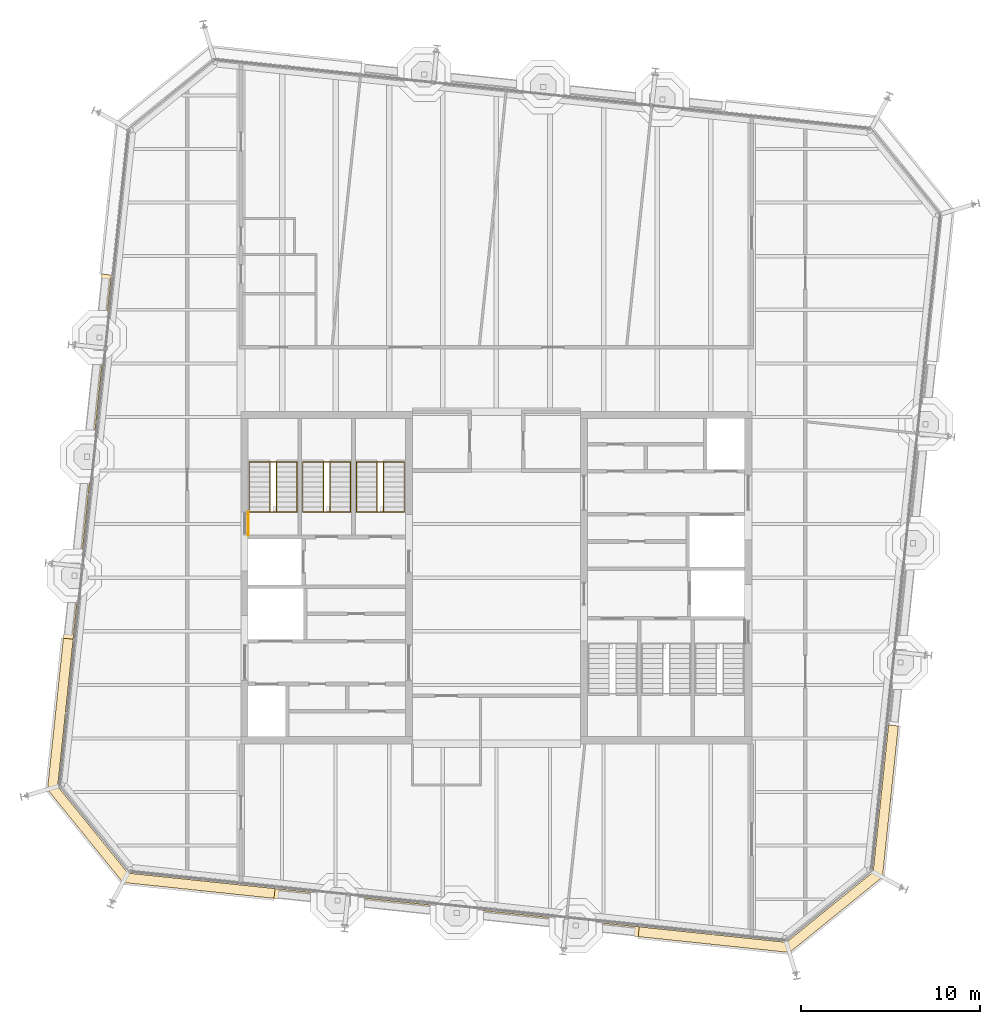
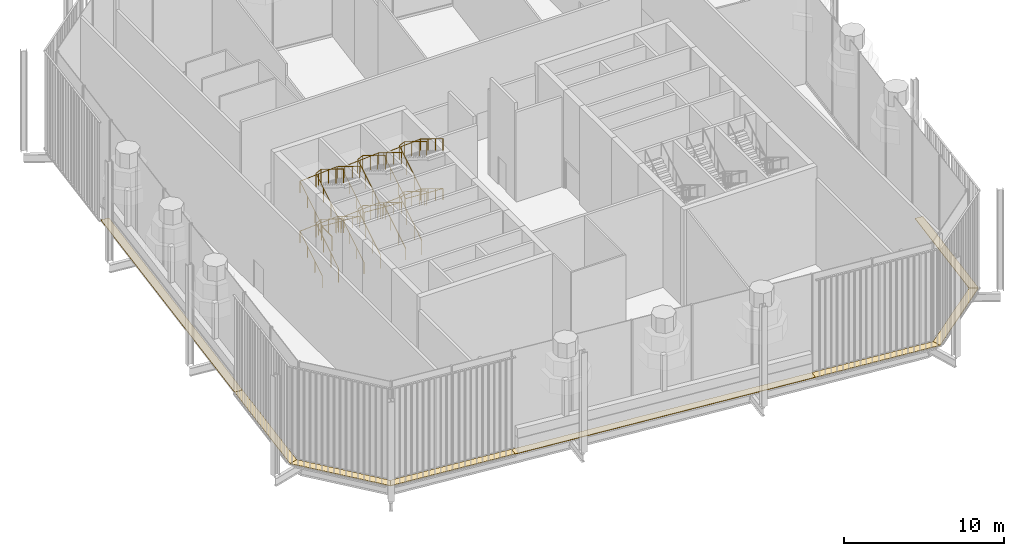
# One storey, part 15 of 17: 8 coverings, 7 railings.
"""IFC4 building model written with IfcOpenShell, lengths in metres."""

from ifc_helpers import new_model, si_unit, direction, frame, origin, origin_2d, place, context, subcontext, project, spatial, polyline, circle, outline, extrude, material, layer, layer_set, type_object, element, save


model = new_model("IFC4")

# Units and contexts
model_context = context("Model", 3, precision=1e-05, world=origin(), true_north=direction((0.0, 1.0)))
body_context = subcontext(model_context, "Body", "Model", "MODEL_VIEW")
ifc_project = project(units=[si_unit("LENGTHUNIT", "METRE"), si_unit("AREAUNIT", "SQUARE_METRE"), si_unit("VOLUMEUNIT", "CUBIC_METRE"), si_unit("PLANEANGLEUNIT", "RADIAN"), si_unit("MASSUNIT", "GRAM", prefix="KILO")], contexts=[model_context])

# Site, building, storey
site_placement = place(None, origin())
site = spatial("IfcSite", under=ifc_project, at=site_placement, CompositionType="ELEMENT")
building_placement = place(site_placement, origin())
building = spatial("IfcBuilding", under=site, at=building_placement, Name="Millrace Tower", CompositionType="ELEMENT")
storey_placement = place(building_placement, frame((0.0, 0.0, 311.10009765625)))
storey = spatial("IfcBuildingStorey", under=building, at=storey_placement, Name="L72", CompositionType="ELEMENT", Elevation=311.10009765625)

# Coverings
ifc_material_1 = material(Name="Steel ASTM A36", Category="steel")
ifc_layer = layer(ifc_material_1, 0.050048828125)
ifc_layer_set = layer_set([ifc_layer], Name="Steel ASTM A36")
covering_type = type_object("IfcCoveringType", Name="CAVITY CATWALK steel grating", PredefinedType="FLOORING", material=ifc_layer_set)
placement = place(storey_placement, frame((0.0, 0.0, 0.099853515625)))
element("IfcCovering", 1, at=placement, inside=storey, type_object=covering_type, Name="Cavity catwalk grating E-F01 L72 1", PredefinedType="FLOORING", context=body_context, shape_type="SweptSolid", body=[
    extrude(outline(polyline([(-25.13232421875, -11.8515625), (-20.914306640625, -17.060302734375), (-20.630126953125, -16.537109375), (-24.5615234375, -11.682373046875), (-25.13232421875, -11.8515625)])), origin(), (0.0, 0.0, 1.0), 0.050048828125),
])
element("IfcCovering", 2, at=placement, inside=storey, type_object=covering_type, Name="Cavity catwalk grating E-F02 L72 1", PredefinedType="FLOORING", context=body_context, shape_type="SweptSolid", body=[
    extrude(outline(polyline([(-20.914306640625, -17.060302734375), (-12.4501953125, -17.949951171875), (-12.392822265625, -17.40283203125), (-20.630126953125, -16.537109375), (-20.914306640625, -17.060302734375)])), origin(), (0.0, 0.0, 1.0), 0.050048828125),
])
element("IfcCovering", 3, at=placement, inside=storey, type_object=covering_type, Name="Cavity catwalk grating E-F02 L72 2", PredefinedType="FLOORING", context=body_context, shape_type="SweptSolid", body=[
    extrude(outline(polyline([(-12.4501953125, -17.949951171875), (7.9375, -20.0927734375), (7.994873046875, -19.545654296875), (-12.392822265625, -17.40283203125), (-12.4501953125, -17.949951171875)])), origin(), (0.0, 0.0, 1.0), 0.050048828125),
])
element("IfcCovering", 4, at=placement, inside=storey, type_object=covering_type, Name="Cavity catwalk grating E-F02 L72 3", PredefinedType="FLOORING", context=body_context, shape_type="SweptSolid", body=[
    extrude(outline(polyline([(7.9375, -20.0927734375), (16.4013671875, -20.982177734375), (16.232421875, -20.411376953125), (7.994873046875, -19.545654296875), (7.9375, -20.0927734375)])), origin(), (0.0, 0.0, 1.0), 0.050048828125),
])
element("IfcCovering", 5, at=placement, inside=storey, type_object=covering_type, Name="Cavity catwalk grating E-F03 L72 1", PredefinedType="FLOORING", context=body_context, shape_type="SweptSolid", body=[
    extrude(outline(polyline([(16.4013671875, -20.982177734375), (21.6103515625, -16.764404296875), (21.087158203125, -16.480224609375), (16.232421875, -20.411376953125), (16.4013671875, -20.982177734375)])), origin(), (0.0, 0.0, 1.0), 0.050048828125),
])
element("IfcCovering", 6, at=placement, inside=storey, type_object=covering_type, Name="Cavity catwalk grating E-F04 L72 1", PredefinedType="FLOORING", context=body_context, shape_type="SweptSolid", body=[
    extrude(outline(polyline([(21.6103515625, -16.764404296875), (22.499755859375, -8.30029296875), (21.952880859375, -8.24267578125), (21.087158203125, -16.480224609375), (21.6103515625, -16.764404296875)])), origin(), (0.0, 0.0, 1.0), 0.050048828125),
])
element("IfcCovering", 7, at=placement, inside=storey, type_object=covering_type, Name="Cavity catwalk grating E-F08 L72 2", PredefinedType="FLOORING", context=body_context, shape_type="SweptSolid", body=[
    extrude(outline(polyline([(-22.099853515625, 17.000244140625), (-24.24267578125, -3.387451171875), (-23.69580078125, -3.44482421875), (-21.552978515625, 16.94287109375), (-22.099853515625, 17.000244140625)])), origin(), (0.0, 0.0, 1.0), 0.050048828125),
])
element("IfcCovering", 8, at=placement, inside=storey, type_object=covering_type, Name="Cavity catwalk grating E-F08 L72 3", PredefinedType="FLOORING", context=body_context, shape_type="SweptSolid", body=[
    extrude(outline(polyline([(-24.24267578125, -3.387451171875), (-25.13232421875, -11.8515625), (-24.5615234375, -11.682373046875), (-23.69580078125, -3.44482421875), (-24.24267578125, -3.387451171875)])), origin(), (0.0, 0.0, 1.0), 0.050048828125),
])

# Railings
ifc_material_2 = material(Name="Stainless steel ASTM A240 type 316", Category="steel")
railing_type_1 = type_object("IfcRailingType", Name="Stair guard 1100", PredefinedType="GUARDRAIL", material=ifc_material_2)
railing_1_placement = place(storey_placement, frame((-12.679931640625, 3.679931640625, 0.172607421875)))
element("IfcRailing", 9, at=railing_1_placement, inside=storey, type_object=railing_type_1, Name="Stair guard 1 W L72", PredefinedType="GUARDRAIL", context=body_context, shape_type="SweptSolid", body=[
    extrude(circle(Radius=0.02392578125, at=origin_2d()), frame((0.0, 0.0, 1.076171875), z_axis=(0.0, 0.851089632645, 0.525020415988), x_axis=(-1.0, 0.0, 0.0)), (0.0, 0.0, 1.0), 3.2900390625),
    extrude(circle(Radius=0.02392578125, at=origin_2d()), frame((0.0, 2.800048828125, 2.80322265625), z_axis=(0.901647110569, 0.0, 0.432472528611), x_axis=(0.0, 1.0, 0.0)), (0.0, 0.0, 1.0), 0.399169921875),
    extrude(circle(Radius=0.02392578125, at=origin_2d()), frame((0.35986328125, 2.800048828125, 2.97607421875), z_axis=(0.0, -0.851089632645, 0.525020415988), x_axis=(1.0, 0.0, 0.0)), (0.0, 0.0, 1.0), 3.2900390625),
    extrude(circle(Radius=0.02392578125, at=origin_2d()), frame((0.35986328125, 0.0, 4.703125), z_axis=(-0.901408511443, 0.0, 0.432969624221), x_axis=(0.0, -1.0, 0.0)), (0.0, 0.0, 1.0), 0.399169921875),
    extrude(circle(Radius=0.02392578125, at=origin_2d()), frame((0.0, 0.0, 4.8759765625), z_axis=(0.0, 0.851089632645, 0.525020415988), x_axis=(-1.0, 0.0, 0.0)), (0.0, 0.0, 1.0), 3.2900390625),
    extrude(circle(Radius=0.02392578125, at=origin_2d()), frame((0.0, 2.800048828125, 6.603515625), z_axis=(0.901647110569, 0.0, 0.432472528611), x_axis=(0.0, 1.0, 0.0)), (0.0, 0.0, 1.0), 0.399169921875),
    extrude(circle(Radius=0.02392578125, at=origin_2d()), frame((0.35986328125, 2.800048828125, 6.77587890625), z_axis=(0.0, -0.851089632645, 0.525020415988), x_axis=(1.0, 0.0, 0.0)), (0.0, 0.0, 1.0), 3.2900390625),
    extrude(circle(Radius=0.02099609375, at=origin_2d()), origin(), (0.0, 0.0, 1.0), 1.052001953125),
    extrude(circle(Radius=0.02099609375, at=origin_2d()), frame((0.0, 0.933349609375, 0.57568359375)), (0.0, 0.0, 1.0), 1.052001953125),
    extrude(circle(Radius=0.02099609375, at=origin_2d()), frame((0.0, 1.86669921875, 1.151611328125)), (0.0, 0.0, 1.0), 1.052001953125),
    extrude(circle(Radius=0.02099609375, at=origin_2d()), frame((0.0, 2.800048828125, 1.727294921875)), (0.0, 0.0, 1.0), 1.052001953125),
    extrude(circle(Radius=0.02099609375, at=origin_2d()), frame((0.35986328125, 2.800048828125, 1.89990234375)), (0.0, 0.0, 1.0), 1.052001953125),
    extrude(circle(Radius=0.02099609375, at=origin_2d()), frame((0.35986328125, 1.86669921875, 2.4755859375)), (0.0, 0.0, 1.0), 1.052001953125),
    extrude(circle(Radius=0.02099609375, at=origin_2d()), frame((0.35986328125, 0.933349609375, 3.051513671875)), (0.0, 0.0, 1.0), 1.052001953125),
    extrude(circle(Radius=0.02099609375, at=origin_2d()), frame((0.35986328125, 0.0, 3.627197265625)), (0.0, 0.0, 1.0), 1.052001953125),
    extrude(circle(Radius=0.02099609375, at=origin_2d()), frame((0.0, 0.0, 3.800048828125)), (0.0, 0.0, 1.0), 1.052001953125),
    extrude(circle(Radius=0.02099609375, at=origin_2d()), frame((0.0, 0.933349609375, 4.375732421875)), (0.0, 0.0, 1.0), 1.052001953125),
    extrude(circle(Radius=0.02099609375, at=origin_2d()), frame((0.0, 1.86669921875, 4.95166015625)), (0.0, 0.0, 1.0), 1.052001953125),
    extrude(circle(Radius=0.02099609375, at=origin_2d()), frame((0.0, 2.800048828125, 5.52734375)), (0.0, 0.0, 1.0), 1.052001953125),
    extrude(circle(Radius=0.02099609375, at=origin_2d()), frame((0.35986328125, 2.800048828125, 5.699951171875)), (0.0, 0.0, 1.0), 1.052001953125),
    extrude(circle(Radius=0.02099609375, at=origin_2d()), frame((0.35986328125, 1.86669921875, 6.275634765625)), (0.0, 0.0, 1.0), 1.052001953125),
    extrude(circle(Radius=0.02099609375, at=origin_2d()), frame((0.35986328125, 0.933349609375, 6.8515625)), (0.0, 0.0, 1.0), 1.052001953125),
    extrude(circle(Radius=0.02099609375, at=origin_2d()), frame((0.35986328125, 0.0, 7.42724609375)), (0.0, 0.0, 1.0), 1.052001953125),
])
railing_2_placement = place(storey_placement, frame((-13.89990234375, 2.3798828125, 3.7998046875)))
element("IfcRailing", 10, at=railing_2_placement, inside=storey, type_object=railing_type_1, Name="Stair door landing guard W L72", PredefinedType="GUARDRAIL", context=body_context, shape_type="SweptSolid", body=[
    extrude(circle(Radius=0.02392578125, at=origin_2d()), frame((0.0, 0.0, 1.076171875), z_axis=(0.0, 1.0, 0.0), x_axis=(-1.0, 0.0, 0.0)), (0.0, 0.0, 1.0), 1.300048828125),
    extrude(circle(Radius=0.02099609375, at=origin_2d()), origin(), (0.0, 0.0, 1.0), 1.052001953125),
    extrude(circle(Radius=0.02099609375, at=origin_2d()), frame((0.0, 1.300048828125, 0.0)), (0.0, 0.0, 1.0), 1.052001953125),
])
railing_3_placement = place(storey_placement, frame((-9.679931640625, 3.679931640625, 0.172607421875)))
element("IfcRailing", 11, at=railing_3_placement, inside=storey, type_object=railing_type_1, Name="Stair guard 2 W L72", PredefinedType="GUARDRAIL", context=body_context, shape_type="SweptSolid", body=[
    extrude(circle(Radius=0.02392578125, at=origin_2d()), frame((0.0, 0.0, 1.076171875), z_axis=(0.0, 0.851089632645, 0.525020415988), x_axis=(-1.0, 0.0, 0.0)), (0.0, 0.0, 1.0), 3.2900390625),
    extrude(circle(Radius=0.02392578125, at=origin_2d()), frame((0.0, 2.800048828125, 2.80322265625), z_axis=(0.901647110569, 0.0, 0.432472528611), x_axis=(0.0, 1.0, 0.0)), (0.0, 0.0, 1.0), 0.399169921875),
    extrude(circle(Radius=0.02392578125, at=origin_2d()), frame((0.35986328125, 2.800048828125, 2.97607421875), z_axis=(0.0, -0.851089632645, 0.525020415988), x_axis=(1.0, 0.0, 0.0)), (0.0, 0.0, 1.0), 3.2900390625),
    extrude(circle(Radius=0.02392578125, at=origin_2d()), frame((0.35986328125, 0.0, 4.703125), z_axis=(-0.901408511443, 0.0, 0.432969624221), x_axis=(0.0, -1.0, 0.0)), (0.0, 0.0, 1.0), 0.399169921875),
    extrude(circle(Radius=0.02392578125, at=origin_2d()), frame((0.0, 0.0, 4.8759765625), z_axis=(0.0, 0.851089632645, 0.525020415988), x_axis=(-1.0, 0.0, 0.0)), (0.0, 0.0, 1.0), 3.2900390625),
    extrude(circle(Radius=0.02392578125, at=origin_2d()), frame((0.0, 2.800048828125, 6.603515625), z_axis=(0.901647110569, 0.0, 0.432472528611), x_axis=(0.0, 1.0, 0.0)), (0.0, 0.0, 1.0), 0.399169921875),
    extrude(circle(Radius=0.02392578125, at=origin_2d()), frame((0.35986328125, 2.800048828125, 6.77587890625), z_axis=(0.0, -0.851089632645, 0.525020415988), x_axis=(1.0, 0.0, 0.0)), (0.0, 0.0, 1.0), 3.2900390625),
    extrude(circle(Radius=0.02099609375, at=origin_2d()), origin(), (0.0, 0.0, 1.0), 1.052001953125),
    extrude(circle(Radius=0.02099609375, at=origin_2d()), frame((0.0, 0.933349609375, 0.57568359375)), (0.0, 0.0, 1.0), 1.052001953125),
    extrude(circle(Radius=0.02099609375, at=origin_2d()), frame((0.0, 1.86669921875, 1.151611328125)), (0.0, 0.0, 1.0), 1.052001953125),
    extrude(circle(Radius=0.02099609375, at=origin_2d()), frame((0.0, 2.800048828125, 1.727294921875)), (0.0, 0.0, 1.0), 1.052001953125),
    extrude(circle(Radius=0.02099609375, at=origin_2d()), frame((0.35986328125, 2.800048828125, 1.89990234375)), (0.0, 0.0, 1.0), 1.052001953125),
    extrude(circle(Radius=0.02099609375, at=origin_2d()), frame((0.35986328125, 1.86669921875, 2.4755859375)), (0.0, 0.0, 1.0), 1.052001953125),
    extrude(circle(Radius=0.02099609375, at=origin_2d()), frame((0.35986328125, 0.933349609375, 3.051513671875)), (0.0, 0.0, 1.0), 1.052001953125),
    extrude(circle(Radius=0.02099609375, at=origin_2d()), frame((0.35986328125, 0.0, 3.627197265625)), (0.0, 0.0, 1.0), 1.052001953125),
    extrude(circle(Radius=0.02099609375, at=origin_2d()), frame((0.0, 0.0, 3.800048828125)), (0.0, 0.0, 1.0), 1.052001953125),
    extrude(circle(Radius=0.02099609375, at=origin_2d()), frame((0.0, 0.933349609375, 4.375732421875)), (0.0, 0.0, 1.0), 1.052001953125),
    extrude(circle(Radius=0.02099609375, at=origin_2d()), frame((0.0, 1.86669921875, 4.95166015625)), (0.0, 0.0, 1.0), 1.052001953125),
    extrude(circle(Radius=0.02099609375, at=origin_2d()), frame((0.0, 2.800048828125, 5.52734375)), (0.0, 0.0, 1.0), 1.052001953125),
    extrude(circle(Radius=0.02099609375, at=origin_2d()), frame((0.35986328125, 2.800048828125, 5.699951171875)), (0.0, 0.0, 1.0), 1.052001953125),
    extrude(circle(Radius=0.02099609375, at=origin_2d()), frame((0.35986328125, 1.86669921875, 6.275634765625)), (0.0, 0.0, 1.0), 1.052001953125),
    extrude(circle(Radius=0.02099609375, at=origin_2d()), frame((0.35986328125, 0.933349609375, 6.8515625)), (0.0, 0.0, 1.0), 1.052001953125),
    extrude(circle(Radius=0.02099609375, at=origin_2d()), frame((0.35986328125, 0.0, 7.42724609375)), (0.0, 0.0, 1.0), 1.052001953125),
])
railing_4_placement = place(storey_placement, frame((-6.679931640625, 3.679931640625, 0.172607421875)))
element("IfcRailing", 12, at=railing_4_placement, inside=storey, type_object=railing_type_1, Name="Stair guard 3 W L72", PredefinedType="GUARDRAIL", context=body_context, shape_type="SweptSolid", body=[
    extrude(circle(Radius=0.02392578125, at=origin_2d()), frame((0.0, 0.0, 1.076171875), z_axis=(0.0, 0.851089632645, 0.525020415988), x_axis=(-1.0, 0.0, 0.0)), (0.0, 0.0, 1.0), 3.2900390625),
    extrude(circle(Radius=0.02392578125, at=origin_2d()), frame((0.0, 2.800048828125, 2.80322265625), z_axis=(0.901647110569, 0.0, 0.432472528611), x_axis=(0.0, 1.0, 0.0)), (0.0, 0.0, 1.0), 0.399169921875),
    extrude(circle(Radius=0.02392578125, at=origin_2d()), frame((0.35986328125, 2.800048828125, 2.97607421875), z_axis=(0.0, -0.851089632645, 0.525020415988), x_axis=(1.0, 0.0, 0.0)), (0.0, 0.0, 1.0), 3.2900390625),
    extrude(circle(Radius=0.02392578125, at=origin_2d()), frame((0.35986328125, 0.0, 4.703125), z_axis=(-0.901408511443, 0.0, 0.432969624221), x_axis=(0.0, -1.0, 0.0)), (0.0, 0.0, 1.0), 0.399169921875),
    extrude(circle(Radius=0.02392578125, at=origin_2d()), frame((0.0, 0.0, 4.8759765625), z_axis=(0.0, 0.851089632645, 0.525020415988), x_axis=(-1.0, 0.0, 0.0)), (0.0, 0.0, 1.0), 3.2900390625),
    extrude(circle(Radius=0.02392578125, at=origin_2d()), frame((0.0, 2.800048828125, 6.603515625), z_axis=(0.901647110569, 0.0, 0.432472528611), x_axis=(0.0, 1.0, 0.0)), (0.0, 0.0, 1.0), 0.399169921875),
    extrude(circle(Radius=0.02392578125, at=origin_2d()), frame((0.35986328125, 2.800048828125, 6.77587890625), z_axis=(0.0, -0.851089632645, 0.525020415988), x_axis=(1.0, 0.0, 0.0)), (0.0, 0.0, 1.0), 3.2900390625),
    extrude(circle(Radius=0.02099609375, at=origin_2d()), origin(), (0.0, 0.0, 1.0), 1.052001953125),
    extrude(circle(Radius=0.02099609375, at=origin_2d()), frame((0.0, 0.933349609375, 0.57568359375)), (0.0, 0.0, 1.0), 1.052001953125),
    extrude(circle(Radius=0.02099609375, at=origin_2d()), frame((0.0, 1.86669921875, 1.151611328125)), (0.0, 0.0, 1.0), 1.052001953125),
    extrude(circle(Radius=0.02099609375, at=origin_2d()), frame((0.0, 2.800048828125, 1.727294921875)), (0.0, 0.0, 1.0), 1.052001953125),
    extrude(circle(Radius=0.02099609375, at=origin_2d()), frame((0.35986328125, 2.800048828125, 1.89990234375)), (0.0, 0.0, 1.0), 1.052001953125),
    extrude(circle(Radius=0.02099609375, at=origin_2d()), frame((0.35986328125, 1.86669921875, 2.4755859375)), (0.0, 0.0, 1.0), 1.052001953125),
    extrude(circle(Radius=0.02099609375, at=origin_2d()), frame((0.35986328125, 0.933349609375, 3.051513671875)), (0.0, 0.0, 1.0), 1.052001953125),
    extrude(circle(Radius=0.02099609375, at=origin_2d()), frame((0.35986328125, 0.0, 3.627197265625)), (0.0, 0.0, 1.0), 1.052001953125),
    extrude(circle(Radius=0.02099609375, at=origin_2d()), frame((0.0, 0.0, 3.800048828125)), (0.0, 0.0, 1.0), 1.052001953125),
    extrude(circle(Radius=0.02099609375, at=origin_2d()), frame((0.0, 0.933349609375, 4.375732421875)), (0.0, 0.0, 1.0), 1.052001953125),
    extrude(circle(Radius=0.02099609375, at=origin_2d()), frame((0.0, 1.86669921875, 4.95166015625)), (0.0, 0.0, 1.0), 1.052001953125),
    extrude(circle(Radius=0.02099609375, at=origin_2d()), frame((0.0, 2.800048828125, 5.52734375)), (0.0, 0.0, 1.0), 1.052001953125),
    extrude(circle(Radius=0.02099609375, at=origin_2d()), frame((0.35986328125, 2.800048828125, 5.699951171875)), (0.0, 0.0, 1.0), 1.052001953125),
    extrude(circle(Radius=0.02099609375, at=origin_2d()), frame((0.35986328125, 1.86669921875, 6.275634765625)), (0.0, 0.0, 1.0), 1.052001953125),
    extrude(circle(Radius=0.02099609375, at=origin_2d()), frame((0.35986328125, 0.933349609375, 6.8515625)), (0.0, 0.0, 1.0), 1.052001953125),
    extrude(circle(Radius=0.02099609375, at=origin_2d()), frame((0.35986328125, 0.0, 7.42724609375)), (0.0, 0.0, 1.0), 1.052001953125),
])
ifc_material_3 = material(Name="Stainless steel ASTM A240 type 316", Category="steel")
railing_type_2 = type_object("IfcRailingType", Name="Stair handrail 900", PredefinedType="HANDRAIL", material=ifc_material_3)
railing_5_placement = place(storey_placement, frame((-13.840087890625, 3.679931640625, 0.172607421875)))
element("IfcRailing", 13, at=railing_5_placement, inside=storey, type_object=railing_type_2, Name="Stair handrail 1 W L72", PredefinedType="HANDRAIL", context=body_context, shape_type="SweptSolid", body=[
    extrude(circle(Radius=0.02392578125, at=origin_2d()), frame((0.0, 0.0, 0.8759765625), z_axis=(0.0, 0.851089632645, 0.525020415988), x_axis=(-1.0, 0.0, 0.0)), (0.0, 0.0, 1.0), 3.2900390625),
    extrude(circle(Radius=0.02392578125, at=origin_2d()), frame((0.0, 2.800048828125, 2.60302734375), z_axis=(0.997932650066, 0.0, 0.064268389834), x_axis=(0.0, 1.0, 0.0)), (0.0, 0.0, 1.0), 2.685791015625),
    extrude(circle(Radius=0.02392578125, at=origin_2d()), frame((2.68017578125, 2.800048828125, 2.77587890625), z_axis=(0.0, -0.851089632645, 0.525020415988), x_axis=(1.0, 0.0, 0.0)), (0.0, 0.0, 1.0), 3.2900390625),
    extrude(circle(Radius=0.02392578125, at=origin_2d()), frame((2.68017578125, 0.0, 4.5029296875), z_axis=(-0.997926815885, 0.0, 0.064358916528), x_axis=(0.0, -1.0, 0.0)), (0.0, 0.0, 1.0), 2.685791015625),
    extrude(circle(Radius=0.02392578125, at=origin_2d()), frame((0.0, 0.0, 4.67578125), z_axis=(0.0, 0.851089632645, 0.525020415988), x_axis=(-1.0, 0.0, 0.0)), (0.0, 0.0, 1.0), 3.2900390625),
    extrude(circle(Radius=0.02392578125, at=origin_2d()), frame((0.0, 2.800048828125, 6.4033203125), z_axis=(0.997932650066, 0.0, 0.064268389834), x_axis=(0.0, 1.0, 0.0)), (0.0, 0.0, 1.0), 2.685791015625),
    extrude(circle(Radius=0.02392578125, at=origin_2d()), frame((2.68017578125, 2.800048828125, 6.57568359375), z_axis=(0.0, -0.851089632645, 0.525020415988), x_axis=(1.0, 0.0, 0.0)), (0.0, 0.0, 1.0), 3.2900390625),
    extrude(circle(Radius=0.02099609375, at=origin_2d()), origin(), (0.0, 0.0, 1.0), 0.851806640625),
    extrude(circle(Radius=0.02099609375, at=origin_2d()), frame((0.0, 0.933349609375, 0.57568359375)), (0.0, 0.0, 1.0), 0.851806640625),
    extrude(circle(Radius=0.02099609375, at=origin_2d()), frame((0.0, 1.86669921875, 1.151611328125)), (0.0, 0.0, 1.0), 0.851806640625),
    extrude(circle(Radius=0.02099609375, at=origin_2d()), frame((0.0, 2.800048828125, 1.727294921875)), (0.0, 0.0, 1.0), 0.851806640625),
    extrude(circle(Radius=0.02099609375, at=origin_2d()), frame((1.340087890625, 2.800048828125, 1.8134765625)), (0.0, 0.0, 1.0), 0.851806640625),
    extrude(circle(Radius=0.02099609375, at=origin_2d()), frame((2.68017578125, 2.800048828125, 1.89990234375)), (0.0, 0.0, 1.0), 0.851806640625),
    extrude(circle(Radius=0.02099609375, at=origin_2d()), frame((2.68017578125, 1.86669921875, 2.4755859375)), (0.0, 0.0, 1.0), 0.851806640625),
    extrude(circle(Radius=0.02099609375, at=origin_2d()), frame((2.68017578125, 0.933349609375, 3.051513671875)), (0.0, 0.0, 1.0), 0.851806640625),
    extrude(circle(Radius=0.02099609375, at=origin_2d()), frame((2.68017578125, 0.0, 3.627197265625)), (0.0, 0.0, 1.0), 0.851806640625),
    extrude(circle(Radius=0.02099609375, at=origin_2d()), frame((1.340087890625, 0.0, 3.713623046875)), (0.0, 0.0, 1.0), 0.851806640625),
    extrude(circle(Radius=0.02099609375, at=origin_2d()), frame((0.0, 0.0, 3.800048828125)), (0.0, 0.0, 1.0), 0.851806640625),
    extrude(circle(Radius=0.02099609375, at=origin_2d()), frame((0.0, 0.933349609375, 4.375732421875)), (0.0, 0.0, 1.0), 0.851806640625),
    extrude(circle(Radius=0.02099609375, at=origin_2d()), frame((0.0, 1.86669921875, 4.95166015625)), (0.0, 0.0, 1.0), 0.851806640625),
    extrude(circle(Radius=0.02099609375, at=origin_2d()), frame((0.0, 2.800048828125, 5.52734375)), (0.0, 0.0, 1.0), 0.851806640625),
    extrude(circle(Radius=0.02099609375, at=origin_2d()), frame((1.340087890625, 2.800048828125, 5.61376953125)), (0.0, 0.0, 1.0), 0.851806640625),
    extrude(circle(Radius=0.02099609375, at=origin_2d()), frame((2.68017578125, 2.800048828125, 5.699951171875)), (0.0, 0.0, 1.0), 0.851806640625),
    extrude(circle(Radius=0.02099609375, at=origin_2d()), frame((2.68017578125, 1.86669921875, 6.275634765625)), (0.0, 0.0, 1.0), 0.851806640625),
    extrude(circle(Radius=0.02099609375, at=origin_2d()), frame((2.68017578125, 0.933349609375, 6.8515625)), (0.0, 0.0, 1.0), 0.851806640625),
    extrude(circle(Radius=0.02099609375, at=origin_2d()), frame((2.68017578125, 0.0, 7.42724609375)), (0.0, 0.0, 1.0), 0.851806640625),
])
railing_6_placement = place(storey_placement, frame((-10.840087890625, 3.679931640625, 0.172607421875)))
element("IfcRailing", 14, at=railing_6_placement, inside=storey, type_object=railing_type_2, Name="Stair handrail 2 W L72", PredefinedType="HANDRAIL", context=body_context, shape_type="SweptSolid", body=[
    extrude(circle(Radius=0.02392578125, at=origin_2d()), frame((0.0, 0.0, 0.8759765625), z_axis=(0.0, 0.851089632645, 0.525020415988), x_axis=(-1.0, 0.0, 0.0)), (0.0, 0.0, 1.0), 3.2900390625),
    extrude(circle(Radius=0.02392578125, at=origin_2d()), frame((0.0, 2.800048828125, 2.60302734375), z_axis=(0.997932650066, 0.0, 0.064268389834), x_axis=(0.0, 1.0, 0.0)), (0.0, 0.0, 1.0), 2.685791015625),
    extrude(circle(Radius=0.02392578125, at=origin_2d()), frame((2.68017578125, 2.800048828125, 2.77587890625), z_axis=(0.0, -0.851089632645, 0.525020415988), x_axis=(1.0, 0.0, 0.0)), (0.0, 0.0, 1.0), 3.2900390625),
    extrude(circle(Radius=0.02392578125, at=origin_2d()), frame((2.68017578125, 0.0, 4.5029296875), z_axis=(-0.997926815885, 0.0, 0.064358916528), x_axis=(0.0, -1.0, 0.0)), (0.0, 0.0, 1.0), 2.685791015625),
    extrude(circle(Radius=0.02392578125, at=origin_2d()), frame((0.0, 0.0, 4.67578125), z_axis=(0.0, 0.851089632645, 0.525020415988), x_axis=(-1.0, 0.0, 0.0)), (0.0, 0.0, 1.0), 3.2900390625),
    extrude(circle(Radius=0.02392578125, at=origin_2d()), frame((0.0, 2.800048828125, 6.4033203125), z_axis=(0.997932650066, 0.0, 0.064268389834), x_axis=(0.0, 1.0, 0.0)), (0.0, 0.0, 1.0), 2.685791015625),
    extrude(circle(Radius=0.02392578125, at=origin_2d()), frame((2.68017578125, 2.800048828125, 6.57568359375), z_axis=(0.0, -0.851089632645, 0.525020415988), x_axis=(1.0, 0.0, 0.0)), (0.0, 0.0, 1.0), 3.2900390625),
    extrude(circle(Radius=0.02099609375, at=origin_2d()), origin(), (0.0, 0.0, 1.0), 0.851806640625),
    extrude(circle(Radius=0.02099609375, at=origin_2d()), frame((0.0, 0.933349609375, 0.57568359375)), (0.0, 0.0, 1.0), 0.851806640625),
    extrude(circle(Radius=0.02099609375, at=origin_2d()), frame((0.0, 1.86669921875, 1.151611328125)), (0.0, 0.0, 1.0), 0.851806640625),
    extrude(circle(Radius=0.02099609375, at=origin_2d()), frame((0.0, 2.800048828125, 1.727294921875)), (0.0, 0.0, 1.0), 0.851806640625),
    extrude(circle(Radius=0.02099609375, at=origin_2d()), frame((1.340087890625, 2.800048828125, 1.8134765625)), (0.0, 0.0, 1.0), 0.851806640625),
    extrude(circle(Radius=0.02099609375, at=origin_2d()), frame((2.68017578125, 2.800048828125, 1.89990234375)), (0.0, 0.0, 1.0), 0.851806640625),
    extrude(circle(Radius=0.02099609375, at=origin_2d()), frame((2.68017578125, 1.86669921875, 2.4755859375)), (0.0, 0.0, 1.0), 0.851806640625),
    extrude(circle(Radius=0.02099609375, at=origin_2d()), frame((2.68017578125, 0.933349609375, 3.051513671875)), (0.0, 0.0, 1.0), 0.851806640625),
    extrude(circle(Radius=0.02099609375, at=origin_2d()), frame((2.68017578125, 0.0, 3.627197265625)), (0.0, 0.0, 1.0), 0.851806640625),
    extrude(circle(Radius=0.02099609375, at=origin_2d()), frame((1.340087890625, 0.0, 3.713623046875)), (0.0, 0.0, 1.0), 0.851806640625),
    extrude(circle(Radius=0.02099609375, at=origin_2d()), frame((0.0, 0.0, 3.800048828125)), (0.0, 0.0, 1.0), 0.851806640625),
    extrude(circle(Radius=0.02099609375, at=origin_2d()), frame((0.0, 0.933349609375, 4.375732421875)), (0.0, 0.0, 1.0), 0.851806640625),
    extrude(circle(Radius=0.02099609375, at=origin_2d()), frame((0.0, 1.86669921875, 4.95166015625)), (0.0, 0.0, 1.0), 0.851806640625),
    extrude(circle(Radius=0.02099609375, at=origin_2d()), frame((0.0, 2.800048828125, 5.52734375)), (0.0, 0.0, 1.0), 0.851806640625),
    extrude(circle(Radius=0.02099609375, at=origin_2d()), frame((1.340087890625, 2.800048828125, 5.61376953125)), (0.0, 0.0, 1.0), 0.851806640625),
    extrude(circle(Radius=0.02099609375, at=origin_2d()), frame((2.68017578125, 2.800048828125, 5.699951171875)), (0.0, 0.0, 1.0), 0.851806640625),
    extrude(circle(Radius=0.02099609375, at=origin_2d()), frame((2.68017578125, 1.86669921875, 6.275634765625)), (0.0, 0.0, 1.0), 0.851806640625),
    extrude(circle(Radius=0.02099609375, at=origin_2d()), frame((2.68017578125, 0.933349609375, 6.8515625)), (0.0, 0.0, 1.0), 0.851806640625),
    extrude(circle(Radius=0.02099609375, at=origin_2d()), frame((2.68017578125, 0.0, 7.42724609375)), (0.0, 0.0, 1.0), 0.851806640625),
])
railing_7_placement = place(storey_placement, frame((-7.840087890625, 3.679931640625, 0.172607421875)))
element("IfcRailing", 15, at=railing_7_placement, inside=storey, type_object=railing_type_2, Name="Stair handrail 3 W L72", PredefinedType="HANDRAIL", context=body_context, shape_type="SweptSolid", body=[
    extrude(circle(Radius=0.02392578125, at=origin_2d()), frame((0.0, 0.0, 0.8759765625), z_axis=(0.0, 0.851089632645, 0.525020415988), x_axis=(-1.0, 0.0, 0.0)), (0.0, 0.0, 1.0), 3.2900390625),
    extrude(circle(Radius=0.02392578125, at=origin_2d()), frame((0.0, 2.800048828125, 2.60302734375), z_axis=(0.997932650066, 0.0, 0.064268389834), x_axis=(0.0, 1.0, 0.0)), (0.0, 0.0, 1.0), 2.685791015625),
    extrude(circle(Radius=0.02392578125, at=origin_2d()), frame((2.68017578125, 2.800048828125, 2.77587890625), z_axis=(0.0, -0.851089632645, 0.525020415988), x_axis=(1.0, 0.0, 0.0)), (0.0, 0.0, 1.0), 3.2900390625),
    extrude(circle(Radius=0.02392578125, at=origin_2d()), frame((2.68017578125, 0.0, 4.5029296875), z_axis=(-0.997926815885, 0.0, 0.064358916528), x_axis=(0.0, -1.0, 0.0)), (0.0, 0.0, 1.0), 2.685791015625),
    extrude(circle(Radius=0.02392578125, at=origin_2d()), frame((0.0, 0.0, 4.67578125), z_axis=(0.0, 0.851089632645, 0.525020415988), x_axis=(-1.0, 0.0, 0.0)), (0.0, 0.0, 1.0), 3.2900390625),
    extrude(circle(Radius=0.02392578125, at=origin_2d()), frame((0.0, 2.800048828125, 6.4033203125), z_axis=(0.997932650066, 0.0, 0.064268389834), x_axis=(0.0, 1.0, 0.0)), (0.0, 0.0, 1.0), 2.685791015625),
    extrude(circle(Radius=0.02392578125, at=origin_2d()), frame((2.68017578125, 2.800048828125, 6.57568359375), z_axis=(0.0, -0.851089632645, 0.525020415988), x_axis=(1.0, 0.0, 0.0)), (0.0, 0.0, 1.0), 3.2900390625),
    extrude(circle(Radius=0.02099609375, at=origin_2d()), origin(), (0.0, 0.0, 1.0), 0.851806640625),
    extrude(circle(Radius=0.02099609375, at=origin_2d()), frame((0.0, 0.933349609375, 0.57568359375)), (0.0, 0.0, 1.0), 0.851806640625),
    extrude(circle(Radius=0.02099609375, at=origin_2d()), frame((0.0, 1.86669921875, 1.151611328125)), (0.0, 0.0, 1.0), 0.851806640625),
    extrude(circle(Radius=0.02099609375, at=origin_2d()), frame((0.0, 2.800048828125, 1.727294921875)), (0.0, 0.0, 1.0), 0.851806640625),
    extrude(circle(Radius=0.02099609375, at=origin_2d()), frame((1.340087890625, 2.800048828125, 1.8134765625)), (0.0, 0.0, 1.0), 0.851806640625),
    extrude(circle(Radius=0.02099609375, at=origin_2d()), frame((2.68017578125, 2.800048828125, 1.89990234375)), (0.0, 0.0, 1.0), 0.851806640625),
    extrude(circle(Radius=0.02099609375, at=origin_2d()), frame((2.68017578125, 1.86669921875, 2.4755859375)), (0.0, 0.0, 1.0), 0.851806640625),
    extrude(circle(Radius=0.02099609375, at=origin_2d()), frame((2.68017578125, 0.933349609375, 3.051513671875)), (0.0, 0.0, 1.0), 0.851806640625),
    extrude(circle(Radius=0.02099609375, at=origin_2d()), frame((2.68017578125, 0.0, 3.627197265625)), (0.0, 0.0, 1.0), 0.851806640625),
    extrude(circle(Radius=0.02099609375, at=origin_2d()), frame((1.340087890625, 0.0, 3.713623046875)), (0.0, 0.0, 1.0), 0.851806640625),
    extrude(circle(Radius=0.02099609375, at=origin_2d()), frame((0.0, 0.0, 3.800048828125)), (0.0, 0.0, 1.0), 0.851806640625),
    extrude(circle(Radius=0.02099609375, at=origin_2d()), frame((0.0, 0.933349609375, 4.375732421875)), (0.0, 0.0, 1.0), 0.851806640625),
    extrude(circle(Radius=0.02099609375, at=origin_2d()), frame((0.0, 1.86669921875, 4.95166015625)), (0.0, 0.0, 1.0), 0.851806640625),
    extrude(circle(Radius=0.02099609375, at=origin_2d()), frame((0.0, 2.800048828125, 5.52734375)), (0.0, 0.0, 1.0), 0.851806640625),
    extrude(circle(Radius=0.02099609375, at=origin_2d()), frame((1.340087890625, 2.800048828125, 5.61376953125)), (0.0, 0.0, 1.0), 0.851806640625),
    extrude(circle(Radius=0.02099609375, at=origin_2d()), frame((2.68017578125, 2.800048828125, 5.699951171875)), (0.0, 0.0, 1.0), 0.851806640625),
    extrude(circle(Radius=0.02099609375, at=origin_2d()), frame((2.68017578125, 1.86669921875, 6.275634765625)), (0.0, 0.0, 1.0), 0.851806640625),
    extrude(circle(Radius=0.02099609375, at=origin_2d()), frame((2.68017578125, 0.933349609375, 6.8515625)), (0.0, 0.0, 1.0), 0.851806640625),
    extrude(circle(Radius=0.02099609375, at=origin_2d()), frame((2.68017578125, 0.0, 7.42724609375)), (0.0, 0.0, 1.0), 0.851806640625),
])

save(model, "model.ifc")
